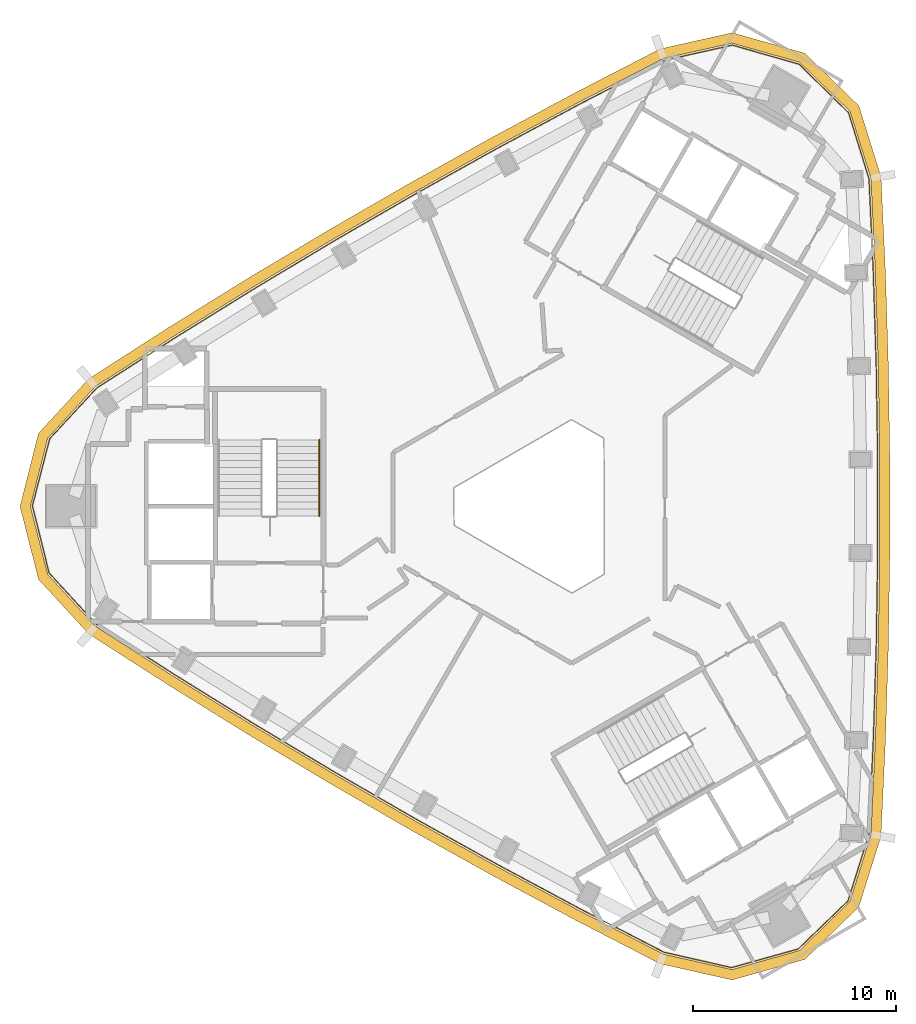
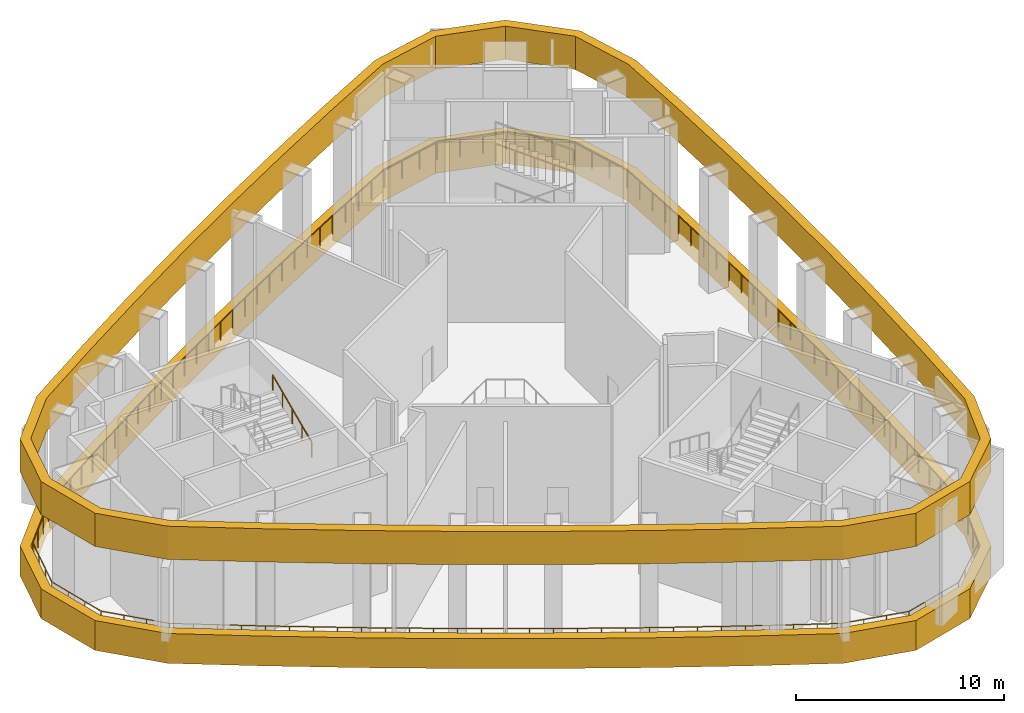
# One storey, part 7 of 8: 2 coverings, 2 railings.
"""IFC4 building model written with IfcOpenShell, lengths in metres."""

from ifc_helpers import new_model, si_unit, direction, frame, origin, origin_2d, place, context, subcontext, project, spatial, polyline, circle, outline, extrude, material, layer, layer_set, type_object, element, save


model = new_model("IFC4")

# Units and contexts
model_context = context("Model", 3, precision=1e-05, world=origin(), true_north=direction((0.0, 1.0)))
body_context = subcontext(model_context, "Body", "Model", "MODEL_VIEW")
ifc_project = project(units=[si_unit("LENGTHUNIT", "METRE"), si_unit("AREAUNIT", "SQUARE_METRE"), si_unit("VOLUMEUNIT", "CUBIC_METRE"), si_unit("PLANEANGLEUNIT", "RADIAN"), si_unit("MASSUNIT", "GRAM", prefix="KILO")], contexts=[model_context])

# Site, building, storey
site_placement = place(None, origin())
site = spatial("IfcSite", under=ifc_project, at=site_placement, CompositionType="ELEMENT")
building_placement = place(site_placement, origin())
building = spatial("IfcBuilding", under=site, at=building_placement, Name="Tamra Quay Hotel Tower", CompositionType="ELEMENT")
storey_placement = place(building_placement, frame((0.0, 0.0, 283.800048828125)))
storey = spatial("IfcBuildingStorey", under=building, at=storey_placement, Name="L72", CompositionType="ELEMENT", Elevation=283.800048828125)

# Railing
ifc_material_1 = material(Name="Stainless steel balustrade", Category="steel")
railing_type_1 = type_object("IfcRailingType", Name="EXTERIOR GUARD 1100", PredefinedType="GUARDRAIL", material=ifc_material_1)
railing_1_placement = place(storey_placement, frame((16.05126953125, -16.164306640625, 0.0)))
element("IfcRailing", 1, at=railing_1_placement, inside=storey, type_object=railing_type_1, Name="GR1", PredefinedType="GUARDRAIL", context=body_context, shape_type="SweptSolid", body=[
    extrude(circle(Radius=0.02392578125, at=origin_2d()), frame((0.0, 0.0, 1.076171875), z_axis=(0.046814524665, 0.998903599093, 0.0), x_axis=(-0.998903599093, 0.046814524665, 0.0)), (0.0, 0.0, 1.0), 4.62060546875),
    extrude(circle(Radius=0.02392578125, at=origin_2d()), frame((0.21630859375, 4.615478515625, 1.076171875), z_axis=(0.031229803244, 0.999512230735, 0.0), x_axis=(-0.999512230735, 0.031229803244, 0.0)), (0.0, 0.0, 1.0), 4.6201171875),
    extrude(circle(Radius=0.02392578125, at=origin_2d()), frame((0.360595703125, 9.2333984375, 1.076171875), z_axis=(0.015640426655, 0.999877681046, 0.0), x_axis=(-0.999877681046, 0.015640426655, 0.0)), (0.0, 0.0, 1.0), 4.620361328125),
    extrude(circle(Radius=0.02392578125, at=origin_2d()), frame((0.432861328125, 13.853271484375, 1.076171875), z_axis=(0.0, 1.0, 0.0), x_axis=(-1.0, 0.0, 0.0)), (0.0, 0.0, 1.0), 4.62060546875),
    extrude(circle(Radius=0.02392578125, at=origin_2d()), frame((0.432861328125, 18.473876953125, 1.076171875), z_axis=(-0.015640426655, 0.999877681046, 0.0), x_axis=(-0.999877681046, -0.015640426655, 0.0)), (0.0, 0.0, 1.0), 4.620361328125),
    extrude(circle(Radius=0.02392578125, at=origin_2d()), frame((0.360595703125, 23.09375, 1.076171875), z_axis=(-0.031231452781, 0.999512179194, 0.0), x_axis=(-0.999512179194, -0.031231452781, 0.0)), (0.0, 0.0, 1.0), 4.619873046875),
    extrude(circle(Radius=0.02392578125, at=origin_2d()), frame((0.21630859375, 27.71142578125, 1.076171875), z_axis=(-0.046099059279, 0.998936873248, 0.0), x_axis=(-0.998936873248, -0.046099059279, 0.0)), (0.0, 0.0, 1.0), 4.596923828125),
    extrude(circle(Radius=0.02392578125, at=origin_2d()), frame((0.00439453125, 32.303466796875, 1.076171875), z_axis=(-0.295020268271, 0.955490994887, 0.0), x_axis=(-0.955490994887, -0.295020268271, 0.0)), (0.0, 0.0, 1.0), 3.414306640625),
    extrude(circle(Radius=0.02392578125, at=origin_2d()), frame((-1.0029296875, 35.56591796875, 1.076171875), z_axis=(-0.7142914693, 0.699848338489, 0.0), x_axis=(-0.699848338489, -0.7142914693, 0.0)), (0.0, 0.0, 1.0), 3.41455078125),
    extrude(circle(Radius=0.02392578125, at=origin_2d()), frame((-3.44189453125, 37.95556640625, 1.076171875), z_axis=(-0.961318607656, 0.275438803681, 0.0), x_axis=(-0.275438803681, -0.961318607656, 0.0)), (0.0, 0.0, 1.0), 3.414306640625),
    extrude(circle(Radius=0.02392578125, at=origin_2d()), frame((-6.72412109375, 38.89599609375, 1.076171875), z_axis=(-0.975974302688, -0.217885659218, 0.0), x_axis=(0.217885659218, -0.975974302688, 0.0)), (0.0, 0.0, 1.0), 3.4365234375),
    extrude(circle(Radius=0.02392578125, at=origin_2d()), frame((-10.078125, 38.147216796875, 1.076171875), z_axis=(-0.888496283113, -0.458883814155, 0.0), x_axis=(0.458883814155, -0.888496283113, 0.0)), (0.0, 0.0, 1.0), 4.62060546875),
    extrude(circle(Radius=0.02392578125, at=origin_2d()), frame((-14.18359375, 36.02685546875, 1.076171875), z_axis=(-0.881206443338, -0.472731640807, 0.0), x_axis=(0.472731640807, -0.881206443338, 0.0)), (0.0, 0.0, 1.0), 4.6201171875),
    extrude(circle(Radius=0.02392578125, at=origin_2d()), frame((-18.2548828125, 33.8427734375, 1.076171875), z_axis=(-0.873745715759, -0.486383001546, 0.0), x_axis=(0.486383001546, -0.873745715759, 0.0)), (0.0, 0.0, 1.0), 4.620361328125),
    extrude(circle(Radius=0.02392578125, at=origin_2d()), frame((-22.2919921875, 31.595458984375, 1.076171875), z_axis=(-0.86602016228, -0.500009078442, 0.0), x_axis=(0.500009078442, -0.86602016228, 0.0)), (0.0, 0.0, 1.0), 4.62060546875),
    extrude(circle(Radius=0.02392578125, at=origin_2d()), frame((-26.29345703125, 29.28515625, 1.076171875), z_axis=(-0.858121701759, -0.513446340886, 0.0), x_axis=(0.513446340886, -0.858121701759, 0.0)), (0.0, 0.0, 1.0), 4.620361328125),
    extrude(circle(Radius=0.02392578125, at=origin_2d()), frame((-30.25830078125, 26.912841796875, 1.076171875), z_axis=(-0.849966581608, -0.526836606691, 0.0), x_axis=(0.526836606691, -0.849966581608, 0.0)), (0.0, 0.0, 1.0), 4.6201171875),
    extrude(circle(Radius=0.02392578125, at=origin_2d()), frame((-34.185302734375, 24.478759765625, 1.076171875), z_axis=(-0.842059136515, -0.539385215418, 0.0), x_axis=(0.539385215418, -0.842059136515, 0.0)), (0.0, 0.0, 1.0), 4.596923828125),
    extrude(circle(Radius=0.02392578125, at=origin_2d()), frame((-38.05615234375, 21.999267578125, 1.076171875), z_axis=(-0.679932573313, -0.733274638692, 0.0), x_axis=(0.733274638692, -0.679932573313, 0.0)), (0.0, 0.0, 1.0), 3.414306640625),
    extrude(circle(Radius=0.02392578125, at=origin_2d()), frame((-40.377685546875, 19.49560546875, 1.076171875), z_axis=(-0.248991213774, -0.96850574364, 0.0), x_axis=(0.96850574364, -0.248991213774, 0.0)), (0.0, 0.0, 1.0), 3.4140625),
    extrude(circle(Radius=0.02392578125, at=origin_2d()), frame((-41.227783203125, 16.18896484375, 1.076171875), z_axis=(0.242098190083, -0.970251754113, 0.0), x_axis=(0.970251754113, 0.242098190083, 0.0)), (0.0, 0.0, 1.0), 3.41455078125),
    extrude(circle(Radius=0.02392578125, at=origin_2d()), frame((-40.401123046875, 12.8759765625, 1.076171875), z_axis=(0.676676297376, -0.73628064525, 0.0), x_axis=(0.73628064525, 0.676676297376, 0.0)), (0.0, 0.0, 1.0), 3.4365234375),
    extrude(circle(Radius=0.02392578125, at=origin_2d()), frame((-38.07568359375, 10.345703125, 1.076171875), z_axis=(0.84167595901, -0.539982944198, 0.0), x_axis=(0.539982944198, 0.84167595901, 0.0)), (0.0, 0.0, 1.0), 4.620849609375),
    extrude(circle(Radius=0.02392578125, at=origin_2d()), frame((-34.1865234375, 7.8505859375, 1.076171875), z_axis=(0.849990243798, -0.526798429619, 0.0), x_axis=(0.526798429619, 0.849990243798, 0.0)), (0.0, 0.0, 1.0), 4.6201171875),
    extrude(circle(Radius=0.02392578125, at=origin_2d()), frame((-30.259521484375, 5.416748046875, 1.076171875), z_axis=(0.858098420231, -0.513485249249, 0.0), x_axis=(0.513485249249, 0.858098420231, 0.0)), (0.0, 0.0, 1.0), 4.62060546875),
    extrude(circle(Radius=0.02392578125, at=origin_2d()), frame((-26.294677734375, 3.044189453125, 1.076171875), z_axis=(0.86602016228, -0.500009078442, 0.0), x_axis=(0.500009078442, 0.86602016228, 0.0)), (0.0, 0.0, 1.0), 4.62060546875),
    extrude(circle(Radius=0.02392578125, at=origin_2d()), frame((-22.293212890625, 0.73388671875, 1.076171875), z_axis=(0.873745715759, -0.486383001546, 0.0), x_axis=(0.486383001546, 0.873745715759, 0.0)), (0.0, 0.0, 1.0), 4.620361328125),
    extrude(circle(Radius=0.02392578125, at=origin_2d()), frame((-18.256103515625, -1.513427734375, 1.076171875), z_axis=(0.881206443338, -0.472731640807, 0.0), x_axis=(0.472731640807, 0.881206443338, 0.0)), (0.0, 0.0, 1.0), 4.6201171875),
    extrude(circle(Radius=0.02392578125, at=origin_2d()), frame((-14.184814453125, -3.697509765625, 1.076171875), z_axis=(0.888170556288, -0.459513942056, 0.0), x_axis=(0.459513942056, 0.888170556288, 0.0)), (0.0, 0.0, 1.0), 4.596923828125),
    extrude(circle(Radius=0.02392578125, at=origin_2d()), frame((-10.10205078125, -5.809814453125, 1.076171875), z_axis=(0.974991471158, -0.222242280334, 0.0), x_axis=(0.222242280334, 0.974991471158, 0.0)), (0.0, 0.0, 1.0), 3.414306640625),
    extrude(circle(Radius=0.02392578125, at=origin_2d()), frame((-6.773193359375, -6.568603515625, 1.076171875), z_axis=(0.96323977277, 0.268643146485, 0.0), x_axis=(-0.268643146485, 0.96323977277, 0.0)), (0.0, 0.0, 1.0), 3.414306640625),
    extrude(circle(Radius=0.02392578125, at=origin_2d()), frame((-3.484375, -5.6513671875, 1.076171875), z_axis=(0.719227723891, 0.694774410284, 0.0), x_axis=(-0.694774410284, 0.719227723891, 0.0)), (0.0, 0.0, 1.0), 3.41455078125),
    extrude(circle(Radius=0.02392578125, at=origin_2d()), frame((-1.028564453125, -3.279052734375, 1.076171875), z_axis=(0.299298225107, 0.954159615813, 0.0), x_axis=(-0.954159615813, 0.299298225107, 0.0)), (0.0, 0.0, 1.0), 3.4365234375),
    extrude(circle(Radius=0.02099609375, at=origin_2d()), origin(), (0.0, 0.0, 1.0), 1.052001953125),
    extrude(circle(Radius=0.02099609375, at=origin_2d()), frame((0.05419921875, 1.15380859375, 0.0)), (0.0, 0.0, 1.0), 1.052001953125),
    extrude(circle(Radius=0.02099609375, at=origin_2d()), frame((0.108154296875, 2.3076171875, 0.0)), (0.0, 0.0, 1.0), 1.052001953125),
    extrude(circle(Radius=0.02099609375, at=origin_2d()), frame((0.162109375, 3.461669921875, 0.0)), (0.0, 0.0, 1.0), 1.052001953125),
    extrude(circle(Radius=0.02099609375, at=origin_2d()), frame((0.21630859375, 4.615478515625, 0.0)), (0.0, 0.0, 1.0), 1.052001953125),
    extrude(circle(Radius=0.02099609375, at=origin_2d()), frame((0.25244140625, 5.77001953125, 0.0)), (0.0, 0.0, 1.0), 1.052001953125),
    extrude(circle(Radius=0.02099609375, at=origin_2d()), frame((0.28857421875, 6.92431640625, 0.0)), (0.0, 0.0, 1.0), 1.052001953125),
    extrude(circle(Radius=0.02099609375, at=origin_2d()), frame((0.324462890625, 8.078857421875, 0.0)), (0.0, 0.0, 1.0), 1.052001953125),
    extrude(circle(Radius=0.02099609375, at=origin_2d()), frame((0.360595703125, 9.2333984375, 0.0)), (0.0, 0.0, 1.0), 1.052001953125),
    extrude(circle(Radius=0.02099609375, at=origin_2d()), frame((0.378662109375, 10.388427734375, 0.0)), (0.0, 0.0, 1.0), 1.052001953125),
    extrude(circle(Radius=0.02099609375, at=origin_2d()), frame((0.396728515625, 11.54345703125, 0.0)), (0.0, 0.0, 1.0), 1.052001953125),
    extrude(circle(Radius=0.02099609375, at=origin_2d()), frame((0.414794921875, 12.6982421875, 0.0)), (0.0, 0.0, 1.0), 1.052001953125),
    extrude(circle(Radius=0.02099609375, at=origin_2d()), frame((0.432861328125, 13.853271484375, 0.0)), (0.0, 0.0, 1.0), 1.052001953125),
    extrude(circle(Radius=0.02099609375, at=origin_2d()), frame((0.432861328125, 15.00830078125, 0.0)), (0.0, 0.0, 1.0), 1.052001953125),
    extrude(circle(Radius=0.02099609375, at=origin_2d()), frame((0.432861328125, 16.16357421875, 0.0)), (0.0, 0.0, 1.0), 1.052001953125),
    extrude(circle(Radius=0.02099609375, at=origin_2d()), frame((0.432861328125, 17.31884765625, 0.0)), (0.0, 0.0, 1.0), 1.052001953125),
    extrude(circle(Radius=0.02099609375, at=origin_2d()), frame((0.432861328125, 18.473876953125, 0.0)), (0.0, 0.0, 1.0), 1.052001953125),
    extrude(circle(Radius=0.02099609375, at=origin_2d()), frame((0.414794921875, 19.62890625, 0.0)), (0.0, 0.0, 1.0), 1.052001953125),
    extrude(circle(Radius=0.02099609375, at=origin_2d()), frame((0.396728515625, 20.78369140625, 0.0)), (0.0, 0.0, 1.0), 1.052001953125),
    extrude(circle(Radius=0.02099609375, at=origin_2d()), frame((0.378662109375, 21.938720703125, 0.0)), (0.0, 0.0, 1.0), 1.052001953125),
    extrude(circle(Radius=0.02099609375, at=origin_2d()), frame((0.360595703125, 23.09375, 0.0)), (0.0, 0.0, 1.0), 1.052001953125),
    extrude(circle(Radius=0.02099609375, at=origin_2d()), frame((0.324462890625, 24.248046875, 0.0)), (0.0, 0.0, 1.0), 1.052001953125),
    extrude(circle(Radius=0.02099609375, at=origin_2d()), frame((0.28857421875, 25.402587890625, 0.0)), (0.0, 0.0, 1.0), 1.052001953125),
    extrude(circle(Radius=0.02099609375, at=origin_2d()), frame((0.25244140625, 26.55712890625, 0.0)), (0.0, 0.0, 1.0), 1.052001953125),
    extrude(circle(Radius=0.02099609375, at=origin_2d()), frame((0.21630859375, 27.71142578125, 0.0)), (0.0, 0.0, 1.0), 1.052001953125),
    extrude(circle(Radius=0.02099609375, at=origin_2d()), frame((0.163330078125, 28.859375, 0.0)), (0.0, 0.0, 1.0), 1.052001953125),
    extrude(circle(Radius=0.02099609375, at=origin_2d()), frame((0.1103515625, 30.00732421875, 0.0)), (0.0, 0.0, 1.0), 1.052001953125),
    extrude(circle(Radius=0.02099609375, at=origin_2d()), frame((0.057373046875, 31.155517578125, 0.0)), (0.0, 0.0, 1.0), 1.052001953125),
    extrude(circle(Radius=0.02099609375, at=origin_2d()), frame((0.00439453125, 32.303466796875, 0.0)), (0.0, 0.0, 1.0), 1.052001953125),
    extrude(circle(Radius=0.02099609375, at=origin_2d()), frame((-0.331298828125, 33.390869140625, 0.0)), (0.0, 0.0, 1.0), 1.052001953125),
    extrude(circle(Radius=0.02099609375, at=origin_2d()), frame((-0.667236328125, 34.478515625, 0.0)), (0.0, 0.0, 1.0), 1.052001953125),
    extrude(circle(Radius=0.02099609375, at=origin_2d()), frame((-1.0029296875, 35.56591796875, 0.0)), (0.0, 0.0, 1.0), 1.052001953125),
    extrude(circle(Radius=0.02099609375, at=origin_2d()), frame((-1.81591796875, 36.362548828125, 0.0)), (0.0, 0.0, 1.0), 1.052001953125),
    extrude(circle(Radius=0.02099609375, at=origin_2d()), frame((-2.62890625, 37.158935546875, 0.0)), (0.0, 0.0, 1.0), 1.052001953125),
    extrude(circle(Radius=0.02099609375, at=origin_2d()), frame((-3.44189453125, 37.95556640625, 0.0)), (0.0, 0.0, 1.0), 1.052001953125),
    extrude(circle(Radius=0.02099609375, at=origin_2d()), frame((-4.535888671875, 38.26904296875, 0.0)), (0.0, 0.0, 1.0), 1.052001953125),
    extrude(circle(Radius=0.02099609375, at=origin_2d()), frame((-5.630126953125, 38.58251953125, 0.0)), (0.0, 0.0, 1.0), 1.052001953125),
    extrude(circle(Radius=0.02099609375, at=origin_2d()), frame((-6.72412109375, 38.89599609375, 0.0)), (0.0, 0.0, 1.0), 1.052001953125),
    extrude(circle(Radius=0.02099609375, at=origin_2d()), frame((-7.842041015625, 38.646484375, 0.0)), (0.0, 0.0, 1.0), 1.052001953125),
    extrude(circle(Radius=0.02099609375, at=origin_2d()), frame((-8.960205078125, 38.396728515625, 0.0)), (0.0, 0.0, 1.0), 1.052001953125),
    extrude(circle(Radius=0.02099609375, at=origin_2d()), frame((-10.078125, 38.147216796875, 0.0)), (0.0, 0.0, 1.0), 1.052001953125),
    extrude(circle(Radius=0.02099609375, at=origin_2d()), frame((-11.1044921875, 37.6171875, 0.0)), (0.0, 0.0, 1.0), 1.052001953125),
    extrude(circle(Radius=0.02099609375, at=origin_2d()), frame((-12.130859375, 37.0869140625, 0.0)), (0.0, 0.0, 1.0), 1.052001953125),
    extrude(circle(Radius=0.02099609375, at=origin_2d()), frame((-13.1572265625, 36.556884765625, 0.0)), (0.0, 0.0, 1.0), 1.052001953125),
    extrude(circle(Radius=0.02099609375, at=origin_2d()), frame((-14.18359375, 36.02685546875, 0.0)), (0.0, 0.0, 1.0), 1.052001953125),
    extrude(circle(Radius=0.02099609375, at=origin_2d()), frame((-15.201416015625, 35.48095703125, 0.0)), (0.0, 0.0, 1.0), 1.052001953125),
    extrude(circle(Radius=0.02099609375, at=origin_2d()), frame((-16.21923828125, 34.934814453125, 0.0)), (0.0, 0.0, 1.0), 1.052001953125),
    extrude(circle(Radius=0.02099609375, at=origin_2d()), frame((-17.237060546875, 34.388671875, 0.0)), (0.0, 0.0, 1.0), 1.052001953125),
    extrude(circle(Radius=0.02099609375, at=origin_2d()), frame((-18.2548828125, 33.8427734375, 0.0)), (0.0, 0.0, 1.0), 1.052001953125),
    extrude(circle(Radius=0.02099609375, at=origin_2d()), frame((-19.26416015625, 33.281005859375, 0.0)), (0.0, 0.0, 1.0), 1.052001953125),
    extrude(circle(Radius=0.02099609375, at=origin_2d()), frame((-20.2734375, 32.71923828125, 0.0)), (0.0, 0.0, 1.0), 1.052001953125),
    extrude(circle(Radius=0.02099609375, at=origin_2d()), frame((-21.28271484375, 32.1572265625, 0.0)), (0.0, 0.0, 1.0), 1.052001953125),
    extrude(circle(Radius=0.02099609375, at=origin_2d()), frame((-22.2919921875, 31.595458984375, 0.0)), (0.0, 0.0, 1.0), 1.052001953125),
    extrude(circle(Radius=0.02099609375, at=origin_2d()), frame((-23.29248046875, 31.017822265625, 0.0)), (0.0, 0.0, 1.0), 1.052001953125),
    extrude(circle(Radius=0.02099609375, at=origin_2d()), frame((-24.292724609375, 30.4404296875, 0.0)), (0.0, 0.0, 1.0), 1.052001953125),
    extrude(circle(Radius=0.02099609375, at=origin_2d()), frame((-25.29296875, 29.86279296875, 0.0)), (0.0, 0.0, 1.0), 1.052001953125),
    extrude(circle(Radius=0.02099609375, at=origin_2d()), frame((-26.29345703125, 29.28515625, 0.0)), (0.0, 0.0, 1.0), 1.052001953125),
    extrude(circle(Radius=0.02099609375, at=origin_2d()), frame((-27.28466796875, 28.692138671875, 0.0)), (0.0, 0.0, 1.0), 1.052001953125),
    extrude(circle(Radius=0.02099609375, at=origin_2d()), frame((-28.27587890625, 28.09912109375, 0.0)), (0.0, 0.0, 1.0), 1.052001953125),
    extrude(circle(Radius=0.02099609375, at=origin_2d()), frame((-29.26708984375, 27.505859375, 0.0)), (0.0, 0.0, 1.0), 1.052001953125),
    extrude(circle(Radius=0.02099609375, at=origin_2d()), frame((-30.25830078125, 26.912841796875, 0.0)), (0.0, 0.0, 1.0), 1.052001953125),
    extrude(circle(Radius=0.02099609375, at=origin_2d()), frame((-31.239990234375, 26.30419921875, 0.0)), (0.0, 0.0, 1.0), 1.052001953125),
    extrude(circle(Radius=0.02099609375, at=origin_2d()), frame((-32.2216796875, 25.69580078125, 0.0)), (0.0, 0.0, 1.0), 1.052001953125),
    extrude(circle(Radius=0.02099609375, at=origin_2d()), frame((-33.20361328125, 25.08740234375, 0.0)), (0.0, 0.0, 1.0), 1.052001953125),
    extrude(circle(Radius=0.02099609375, at=origin_2d()), frame((-34.185302734375, 24.478759765625, 0.0)), (0.0, 0.0, 1.0), 1.052001953125),
    extrude(circle(Radius=0.02099609375, at=origin_2d()), frame((-35.153076171875, 23.85888671875, 0.0)), (0.0, 0.0, 1.0), 1.052001953125),
    extrude(circle(Radius=0.02099609375, at=origin_2d()), frame((-36.12060546875, 23.239013671875, 0.0)), (0.0, 0.0, 1.0), 1.052001953125),
    extrude(circle(Radius=0.02099609375, at=origin_2d()), frame((-37.08837890625, 22.619140625, 0.0)), (0.0, 0.0, 1.0), 1.052001953125),
    extrude(circle(Radius=0.02099609375, at=origin_2d()), frame((-38.05615234375, 21.999267578125, 0.0)), (0.0, 0.0, 1.0), 1.052001953125),
    extrude(circle(Radius=0.02099609375, at=origin_2d()), frame((-38.830078125, 21.164794921875, 0.0)), (0.0, 0.0, 1.0), 1.052001953125),
    extrude(circle(Radius=0.02099609375, at=origin_2d()), frame((-39.603759765625, 20.330078125, 0.0)), (0.0, 0.0, 1.0), 1.052001953125),
    extrude(circle(Radius=0.02099609375, at=origin_2d()), frame((-40.377685546875, 19.49560546875, 0.0)), (0.0, 0.0, 1.0), 1.052001953125),
    extrude(circle(Radius=0.02099609375, at=origin_2d()), frame((-40.6611328125, 18.393310546875, 0.0)), (0.0, 0.0, 1.0), 1.052001953125),
    extrude(circle(Radius=0.02099609375, at=origin_2d()), frame((-40.9443359375, 17.291259765625, 0.0)), (0.0, 0.0, 1.0), 1.052001953125),
    extrude(circle(Radius=0.02099609375, at=origin_2d()), frame((-41.227783203125, 16.18896484375, 0.0)), (0.0, 0.0, 1.0), 1.052001953125),
    extrude(circle(Radius=0.02099609375, at=origin_2d()), frame((-40.9521484375, 15.084716796875, 0.0)), (0.0, 0.0, 1.0), 1.052001953125),
    extrude(circle(Radius=0.02099609375, at=origin_2d()), frame((-40.6767578125, 13.980224609375, 0.0)), (0.0, 0.0, 1.0), 1.052001953125),
    extrude(circle(Radius=0.02099609375, at=origin_2d()), frame((-40.401123046875, 12.8759765625, 0.0)), (0.0, 0.0, 1.0), 1.052001953125),
    extrude(circle(Radius=0.02099609375, at=origin_2d()), frame((-39.6259765625, 12.032470703125, 0.0)), (0.0, 0.0, 1.0), 1.052001953125),
    extrude(circle(Radius=0.02099609375, at=origin_2d()), frame((-38.850830078125, 11.189208984375, 0.0)), (0.0, 0.0, 1.0), 1.052001953125),
    extrude(circle(Radius=0.02099609375, at=origin_2d()), frame((-38.07568359375, 10.345703125, 0.0)), (0.0, 0.0, 1.0), 1.052001953125),
    extrude(circle(Radius=0.02099609375, at=origin_2d()), frame((-37.103515625, 9.721923828125, 0.0)), (0.0, 0.0, 1.0), 1.052001953125),
    extrude(circle(Radius=0.02099609375, at=origin_2d()), frame((-36.131103515625, 9.09814453125, 0.0)), (0.0, 0.0, 1.0), 1.052001953125),
    extrude(circle(Radius=0.02099609375, at=origin_2d()), frame((-35.15869140625, 8.474365234375, 0.0)), (0.0, 0.0, 1.0), 1.052001953125),
    extrude(circle(Radius=0.02099609375, at=origin_2d()), frame((-34.1865234375, 7.8505859375, 0.0)), (0.0, 0.0, 1.0), 1.052001953125),
    extrude(circle(Radius=0.02099609375, at=origin_2d()), frame((-33.204833984375, 7.2421875, 0.0)), (0.0, 0.0, 1.0), 1.052001953125),
    extrude(circle(Radius=0.02099609375, at=origin_2d()), frame((-32.22314453125, 6.6337890625, 0.0)), (0.0, 0.0, 1.0), 1.052001953125),
    extrude(circle(Radius=0.02099609375, at=origin_2d()), frame((-31.2412109375, 6.025146484375, 0.0)), (0.0, 0.0, 1.0), 1.052001953125),
    extrude(circle(Radius=0.02099609375, at=origin_2d()), frame((-30.259521484375, 5.416748046875, 0.0)), (0.0, 0.0, 1.0), 1.052001953125),
    extrude(circle(Radius=0.02099609375, at=origin_2d()), frame((-29.268310546875, 4.82373046875, 0.0)), (0.0, 0.0, 1.0), 1.052001953125),
    extrude(circle(Radius=0.02099609375, at=origin_2d()), frame((-28.277099609375, 4.23046875, 0.0)), (0.0, 0.0, 1.0), 1.052001953125),
    extrude(circle(Radius=0.02099609375, at=origin_2d()), frame((-27.285888671875, 3.63720703125, 0.0)), (0.0, 0.0, 1.0), 1.052001953125),
    extrude(circle(Radius=0.02099609375, at=origin_2d()), frame((-26.294677734375, 3.044189453125, 0.0)), (0.0, 0.0, 1.0), 1.052001953125),
    extrude(circle(Radius=0.02099609375, at=origin_2d()), frame((-25.29443359375, 2.466552734375, 0.0)), (0.0, 0.0, 1.0), 1.052001953125),
    extrude(circle(Radius=0.02099609375, at=origin_2d()), frame((-24.2939453125, 1.88916015625, 0.0)), (0.0, 0.0, 1.0), 1.052001953125),
    extrude(circle(Radius=0.02099609375, at=origin_2d()), frame((-23.29345703125, 1.3115234375, 0.0)), (0.0, 0.0, 1.0), 1.052001953125),
    extrude(circle(Radius=0.02099609375, at=origin_2d()), frame((-22.293212890625, 0.73388671875, 0.0)), (0.0, 0.0, 1.0), 1.052001953125),
    extrude(circle(Radius=0.02099609375, at=origin_2d()), frame((-21.283935546875, 0.172119140625, 0.0)), (0.0, 0.0, 1.0), 1.052001953125),
    extrude(circle(Radius=0.02099609375, at=origin_2d()), frame((-20.274658203125, -0.3896484375, 0.0)), (0.0, 0.0, 1.0), 1.052001953125),
    extrude(circle(Radius=0.02099609375, at=origin_2d()), frame((-19.265380859375, -0.95166015625, 0.0)), (0.0, 0.0, 1.0), 1.052001953125),
    extrude(circle(Radius=0.02099609375, at=origin_2d()), frame((-18.256103515625, -1.513427734375, 0.0)), (0.0, 0.0, 1.0), 1.052001953125),
    extrude(circle(Radius=0.02099609375, at=origin_2d()), frame((-17.23828125, -2.0595703125, 0.0)), (0.0, 0.0, 1.0), 1.052001953125),
    extrude(circle(Radius=0.02099609375, at=origin_2d()), frame((-16.220458984375, -2.60546875, 0.0)), (0.0, 0.0, 1.0), 1.052001953125),
    extrude(circle(Radius=0.02099609375, at=origin_2d()), frame((-15.20263671875, -3.1513671875, 0.0)), (0.0, 0.0, 1.0), 1.052001953125),
    extrude(circle(Radius=0.02099609375, at=origin_2d()), frame((-14.184814453125, -3.697509765625, 0.0)), (0.0, 0.0, 1.0), 1.052001953125),
    extrude(circle(Radius=0.02099609375, at=origin_2d()), frame((-13.1640625, -4.2255859375, 0.0)), (0.0, 0.0, 1.0), 1.052001953125),
    extrude(circle(Radius=0.02099609375, at=origin_2d()), frame((-12.1435546875, -4.753662109375, 0.0)), (0.0, 0.0, 1.0), 1.052001953125),
    extrude(circle(Radius=0.02099609375, at=origin_2d()), frame((-11.122802734375, -5.28173828125, 0.0)), (0.0, 0.0, 1.0), 1.052001953125),
    extrude(circle(Radius=0.02099609375, at=origin_2d()), frame((-10.10205078125, -5.809814453125, 0.0)), (0.0, 0.0, 1.0), 1.052001953125),
    extrude(circle(Radius=0.02099609375, at=origin_2d()), frame((-8.992431640625, -6.062744140625, 0.0)), (0.0, 0.0, 1.0), 1.052001953125),
    extrude(circle(Radius=0.02099609375, at=origin_2d()), frame((-7.8828125, -6.315673828125, 0.0)), (0.0, 0.0, 1.0), 1.052001953125),
    extrude(circle(Radius=0.02099609375, at=origin_2d()), frame((-6.773193359375, -6.568603515625, 0.0)), (0.0, 0.0, 1.0), 1.052001953125),
    extrude(circle(Radius=0.02099609375, at=origin_2d()), frame((-5.677001953125, -6.262939453125, 0.0)), (0.0, 0.0, 1.0), 1.052001953125),
    extrude(circle(Radius=0.02099609375, at=origin_2d()), frame((-4.58056640625, -5.95703125, 0.0)), (0.0, 0.0, 1.0), 1.052001953125),
    extrude(circle(Radius=0.02099609375, at=origin_2d()), frame((-3.484375, -5.6513671875, 0.0)), (0.0, 0.0, 1.0), 1.052001953125),
    extrude(circle(Radius=0.02099609375, at=origin_2d()), frame((-2.665771484375, -4.860595703125, 0.0)), (0.0, 0.0, 1.0), 1.052001953125),
    extrude(circle(Radius=0.02099609375, at=origin_2d()), frame((-1.84716796875, -4.06982421875, 0.0)), (0.0, 0.0, 1.0), 1.052001953125),
    extrude(circle(Radius=0.02099609375, at=origin_2d()), frame((-1.028564453125, -3.279052734375, 0.0)), (0.0, 0.0, 1.0), 1.052001953125),
    extrude(circle(Radius=0.02099609375, at=origin_2d()), frame((-0.685791015625, -2.18603515625, 0.0)), (0.0, 0.0, 1.0), 1.052001953125),
    extrude(circle(Radius=0.02099609375, at=origin_2d()), frame((-0.3427734375, -1.093017578125, 0.0)), (0.0, 0.0, 1.0), 1.052001953125),
])

# Coverings
ifc_material_2 = material(Name="Precast concrete M60 terracotta-coloured pierced relief", Category="masonry")
ifc_layer = layer(ifc_material_2, 0.10009765625)
ifc_layer_set = layer_set([ifc_layer], Name="PIERCED RELIEF PANEL 100")
covering_type = type_object("IfcCoveringType", Name="PIERCED RELIEF PANEL 100", PredefinedType="CLADDING", material=ifc_layer_set)
covering_1_placement = place(storey_placement, frame((0.0, 0.0, 5.25)))
element("IfcCovering", 2, at=covering_1_placement, inside=storey, type_object=covering_type, Name="L72 portal head fascia 1", PredefinedType="CLADDING", context=body_context, shape_type="SweptSolid", body=[
    extrude(outline(polyline([(16.6474609375, -16.2568359375), (15.557373046875, -19.743408203125), (12.89453125, -22.333984375), (9.319580078125, -23.3447265625), (5.755126953125, -22.545654296875), (1.587646484375, -20.39306640625), (-2.491943359375, -18.204833984375), (-6.537353515625, -15.95263671875), (-10.546875, -13.6376953125), (-14.519775390625, -11.260498046875), (-18.45458984375, -8.821533203125), (-22.402587890625, -6.288818359375), (-24.876953125, -3.6015625), (-25.7890625, 0.0), (-24.876953125, 3.6015625), (-22.402587890625, 6.288818359375), (-18.45458984375, 8.821533203125), (-14.519775390625, 11.260498046875), (-10.546875, 13.6376953125), (-6.537353515625, 15.95263671875), (-2.491943359375, 18.204833984375), (1.587646484375, 20.39306640625), (5.755126953125, 22.545654296875), (9.319580078125, 23.3447265625), (12.89453125, 22.333984375), (15.557373046875, 19.743408203125), (16.6474609375, 16.2568359375), (16.8671875, 11.571533203125), (17.01171875, 6.9443359375), (17.084228515625, 2.31494140625), (17.084228515625, -2.31494140625), (17.01171875, -6.9443359375), (16.8671875, -11.571533203125), (16.6474609375, -16.2568359375)]), holes=[polyline([(16.151123046875, -16.169189453125), (16.367431640625, -11.552001953125), (16.511962890625, -6.9326171875), (16.584228515625, -2.31103515625), (16.584228515625, 2.31103515625), (16.511962890625, 6.9326171875), (16.367431640625, 11.552001953125), (16.151123046875, 16.169189453125), (15.117919921875, 19.473388671875), (12.63671875, 21.887451171875), (9.305419921875, 22.829345703125), (5.92724609375, 22.07177734375), (1.820556640625, 19.95068359375), (-2.252197265625, 17.765869140625), (-6.29052734375, 15.517822265625), (-10.29345703125, 13.206787109375), (-14.259765625, 10.83349609375), (-18.18798828125, 8.398681640625), (-22.078369140625, 5.902587890625), (-24.42333984375, 3.35595703125), (-25.2734375, 0.0), (-24.42333984375, -3.35595703125), (-22.078369140625, -5.902587890625), (-18.18798828125, -8.398681640625), (-14.259765625, -10.83349609375), (-10.29345703125, -13.206787109375), (-6.29052734375, -15.517822265625), (-2.252197265625, -17.765869140625), (1.820556640625, -19.95068359375), (5.92724609375, -22.07177734375), (9.305419921875, -22.829345703125), (12.63671875, -21.887451171875), (15.117919921875, -19.473388671875), (16.151123046875, -16.169189453125)])]), origin(), (0.0, 0.0, 1.0), 1.949951171875),
])
covering_2_placement = place(storey_placement, frame((0.0, 0.0, -0.85009765625)))
element("IfcCovering", 3, at=covering_2_placement, inside=storey, type_object=covering_type, Name="L72 portal sill fascia 1", PredefinedType="CLADDING", context=body_context, shape_type="SweptSolid", body=[
    extrude(outline(polyline([(16.6474609375, -16.2568359375), (15.557373046875, -19.743408203125), (12.89453125, -22.333984375), (9.319580078125, -23.3447265625), (5.755126953125, -22.545654296875), (1.587646484375, -20.39306640625), (-2.491943359375, -18.204833984375), (-6.537353515625, -15.95263671875), (-10.546875, -13.6376953125), (-14.519775390625, -11.260498046875), (-18.45458984375, -8.821533203125), (-22.402587890625, -6.288818359375), (-24.876953125, -3.6015625), (-25.7890625, 0.0), (-24.876953125, 3.6015625), (-22.402587890625, 6.288818359375), (-18.45458984375, 8.821533203125), (-14.519775390625, 11.260498046875), (-10.546875, 13.6376953125), (-6.537353515625, 15.95263671875), (-2.491943359375, 18.204833984375), (1.587646484375, 20.39306640625), (5.755126953125, 22.545654296875), (9.319580078125, 23.3447265625), (12.89453125, 22.333984375), (15.557373046875, 19.743408203125), (16.6474609375, 16.2568359375), (16.8671875, 11.571533203125), (17.01171875, 6.9443359375), (17.084228515625, 2.31494140625), (17.084228515625, -2.31494140625), (17.01171875, -6.9443359375), (16.8671875, -11.571533203125), (16.6474609375, -16.2568359375)]), holes=[polyline([(16.151123046875, -16.169189453125), (16.367431640625, -11.552001953125), (16.511962890625, -6.9326171875), (16.584228515625, -2.31103515625), (16.584228515625, 2.31103515625), (16.511962890625, 6.9326171875), (16.367431640625, 11.552001953125), (16.151123046875, 16.169189453125), (15.117919921875, 19.473388671875), (12.63671875, 21.887451171875), (9.305419921875, 22.829345703125), (5.92724609375, 22.07177734375), (1.820556640625, 19.95068359375), (-2.252197265625, 17.765869140625), (-6.29052734375, 15.517822265625), (-10.29345703125, 13.206787109375), (-14.259765625, 10.83349609375), (-18.18798828125, 8.398681640625), (-22.078369140625, 5.902587890625), (-24.42333984375, 3.35595703125), (-25.2734375, 0.0), (-24.42333984375, -3.35595703125), (-22.078369140625, -5.902587890625), (-18.18798828125, -8.398681640625), (-14.259765625, -10.83349609375), (-10.29345703125, -13.206787109375), (-6.29052734375, -15.517822265625), (-2.252197265625, -17.765869140625), (1.820556640625, -19.95068359375), (5.92724609375, -22.07177734375), (9.305419921875, -22.829345703125), (12.63671875, -21.887451171875), (15.117919921875, -19.473388671875), (16.151123046875, -16.169189453125)])]), origin(), (0.0, 0.0, 1.0), 1.75),
])

# Railing
ifc_material_3 = material(Name="Stair handrail 900")
railing_type_2 = type_object("IfcRailingType", Name="Stair handrail 900", PredefinedType="HANDRAIL", material=ifc_material_3)
railing_2_placement = place(storey_placement, frame((-11.0322265625, -0.47998046875, 3.75)))
element("IfcRailing", 4, at=railing_2_placement, inside=storey, type_object=railing_type_2, Name="HR", PredefinedType="HANDRAIL", context=body_context, shape_type="SweptSolid", body=[
    extrude(circle(Radius=0.02392578125, at=origin_2d()), frame((0.0, 0.0, 0.8759765625), z_axis=(0.0, 0.915795495799, 0.401644880304), x_axis=(-1.0, 0.0, 0.0)), (0.0, 0.0, 1.0), 4.10791015625),
    extrude(circle(Radius=0.02099609375, at=origin_2d()), origin(), (0.0, 0.0, 1.0), 0.851806640625),
    extrude(circle(Radius=0.02099609375, at=origin_2d()), frame((0.0, 0.9404296875, 0.41259765625)), (0.0, 0.0, 1.0), 0.851806640625),
    extrude(circle(Radius=0.02099609375, at=origin_2d()), frame((0.0, 1.880859375, 0.824951171875)), (0.0, 0.0, 1.0), 0.851806640625),
    extrude(circle(Radius=0.02099609375, at=origin_2d()), frame((0.0, 2.821533203125, 1.2373046875)), (0.0, 0.0, 1.0), 0.851806640625),
    extrude(circle(Radius=0.02099609375, at=origin_2d()), frame((0.0, 3.761962890625, 1.64990234375)), (0.0, 0.0, 1.0), 0.851806640625),
])

save(model, "model.ifc")
